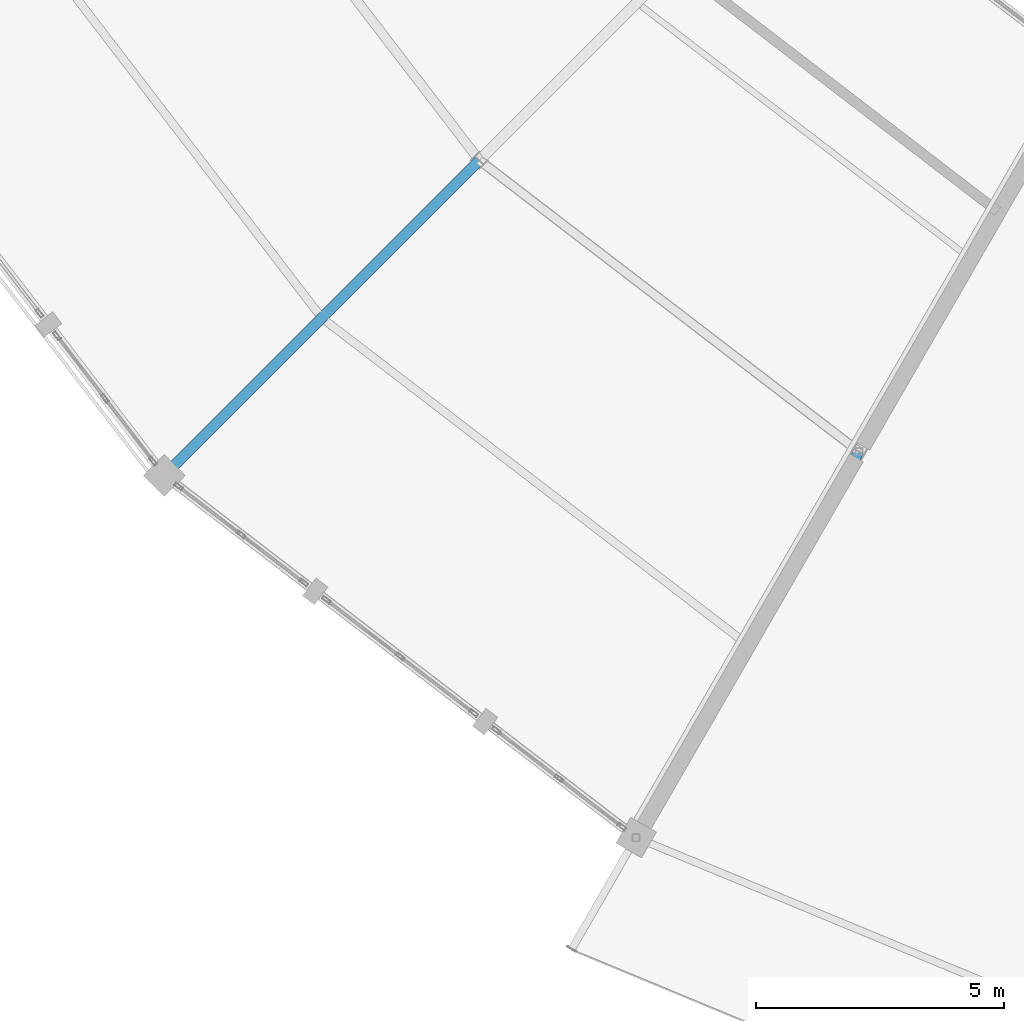
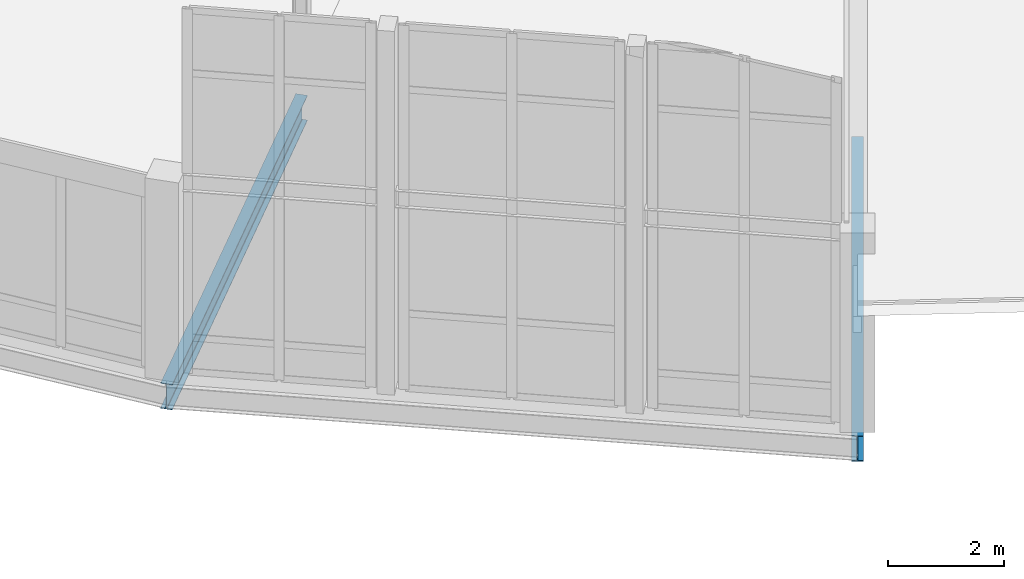
# One storey, part 45 of 185: 2 beams.
"""IFC4 building model written with IfcOpenShell, lengths in metres."""

from ifc_helpers import new_model, si_unit, direction, frame, origin, origin_2d, place, context, subcontext, project, spatial, i_section, extrude, material, material_profile, profile_set, type_object, element, save


model = new_model("IFC4")

# Units and contexts
model_context = context("Model", 3, precision=1e-05, world=origin(), true_north=direction((0.0, 1.0)))
body_context = subcontext(model_context, "Body", "Model", "MODEL_VIEW")
ifc_project = project(units=[si_unit("LENGTHUNIT", "METRE"), si_unit("AREAUNIT", "SQUARE_METRE"), si_unit("VOLUMEUNIT", "CUBIC_METRE"), si_unit("PLANEANGLEUNIT", "RADIAN"), si_unit("MASSUNIT", "GRAM", prefix="KILO")], contexts=[model_context])

# Site, building, storey
site_placement = place(None, origin())
site = spatial("IfcSite", under=ifc_project, at=site_placement, CompositionType="ELEMENT")
building_placement = place(site_placement, origin())
building = spatial("IfcBuilding", under=site, at=building_placement, Name="Vondelvale Polytechnic", CompositionType="ELEMENT")
storey_placement = place(building_placement, frame((0.0, 0.0, 9.60009765625)))
storey = spatial("IfcBuildingStorey", under=building, at=storey_placement, Name="L02", CompositionType="ELEMENT", Elevation=9.60009765625)

# Beams
ifc_material = material(Name="Steel 300PLUS (fy = 300 MPa)", Category="steel")
ifc_material_profile = material_profile(ifc_material, i_section(OverallWidth=0.208984375, OverallDepth=0.532958984375, WebThickness=0.01025390625, FlangeThickness=0.015625, FilletRadius=0.013916015625, at=origin_2d()), Name="530UB92.4")
ifc_profile_set = profile_set([ifc_material_profile], Name="Steel 300PLUS (fy = 300 MPa)")
beam_type = type_object("IfcBeamType", Name="BM-UB530", PredefinedType="BEAM", material=ifc_profile_set)
beam_1_placement = place(storey_placement, frame((75.8369140625, 45.8369140625, -0.546630859375), z_axis=(-0.707106781187, -0.707106781187, 0.0), x_axis=(0.707106781187, -0.707106781187, 0.0)))
element("IfcBeam", 1, at=beam_1_placement, inside=storey, type_object=beam_type, Name="L02 RG B-11", PredefinedType="BEAM", context=body_context, shape_type="SweptSolid", body=[
    extrude(i_section(OverallWidth=0.208984375, OverallDepth=0.532958984375, WebThickness=0.01025390625, FlangeThickness=0.015625, FilletRadius=0.013916015625, at=origin_2d()), origin(), (0.0, 0.0, 1.0), 8.999755859375),
])
beam_2_placement = place(storey_placement, frame((83.5, 39.95703125, -0.546630859375), z_axis=(-0.5000018851, -0.866024315419, 0.0), x_axis=(0.866024315419, -0.5000018851, 0.0)))
element("IfcBeam", 2, at=beam_2_placement, inside=storey, type_object=beam_type, Name="L02 RG B-11", PredefinedType="BEAM", context=body_context, shape_type="SweptSolid", body=[
    extrude(i_section(OverallWidth=0.208984375, OverallDepth=0.532958984375, WebThickness=0.01025390625, FlangeThickness=0.015625, FilletRadius=0.013916015625, at=origin_2d()), origin(), (0.0, 0.0, 1.0), 9.0),
])

save(model, "model.ifc")
